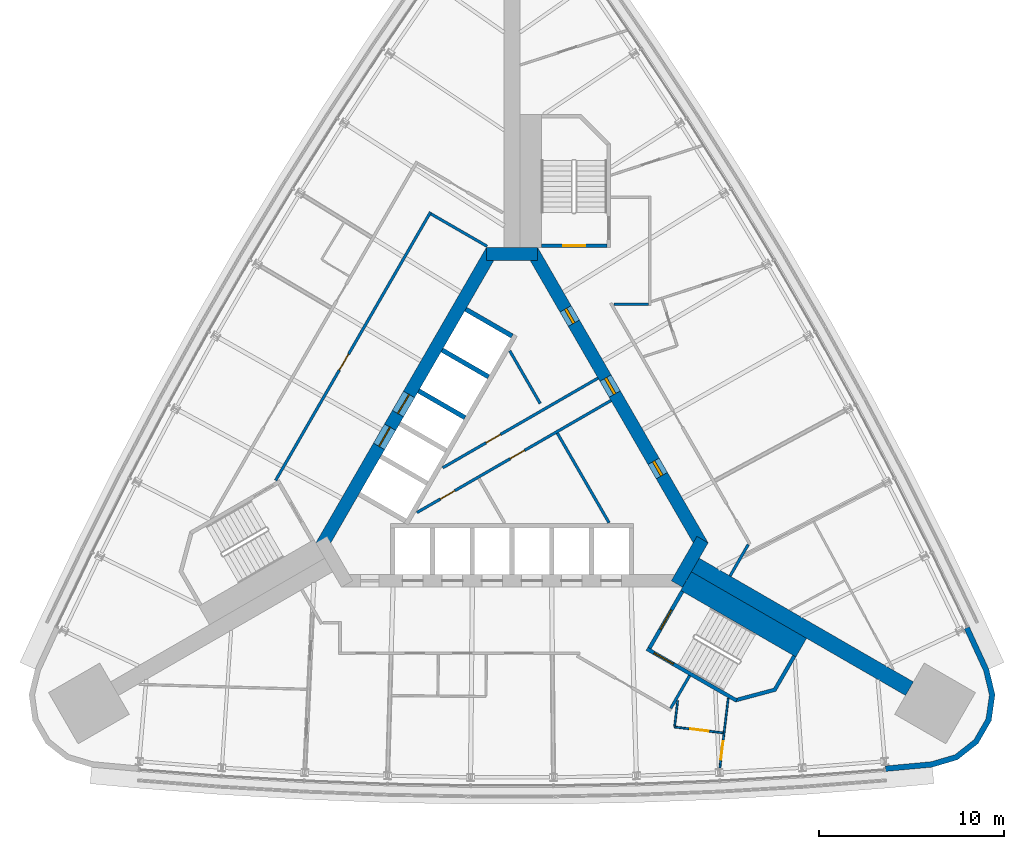
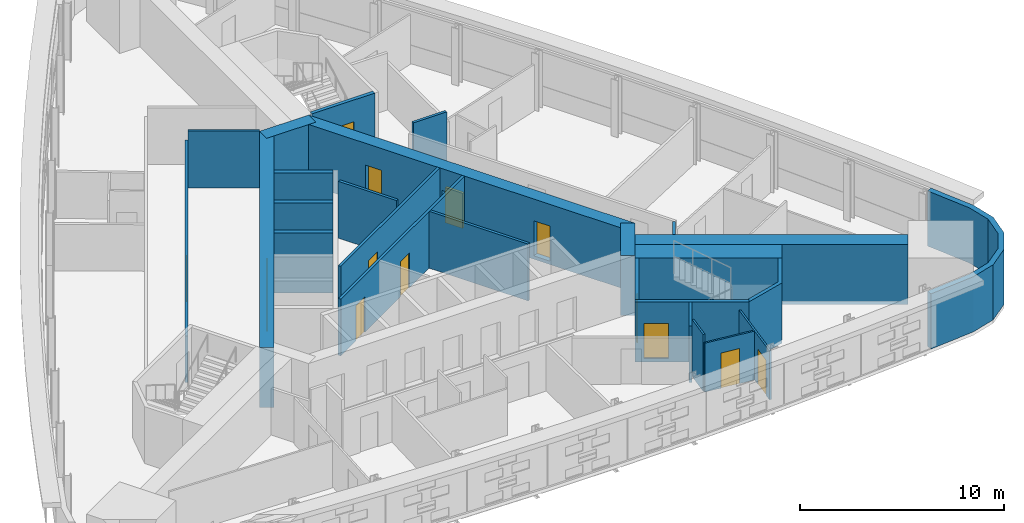
# One storey, part 10 of 14: 26 walls, 14 doors, 14 openings.
"""IFC4 building model written with IfcOpenShell, lengths in metres."""

from ifc_helpers import new_model, si_unit, direction, frame, frame_2d, origin, place, context, subcontext, project, spatial, polyline, rectangle, outline, extrude, material, layer, layer_set, type_object, element, fill, save


model = new_model("IFC4")

# Units and contexts
model_context = context("Model", 3, precision=1e-05, world=origin(), true_north=direction((0.0, 1.0)))
body_context = subcontext(model_context, "Body", "Model", "MODEL_VIEW")
ifc_project = project(units=[si_unit("LENGTHUNIT", "METRE"), si_unit("AREAUNIT", "SQUARE_METRE"), si_unit("VOLUMEUNIT", "CUBIC_METRE"), si_unit("PLANEANGLEUNIT", "RADIAN"), si_unit("MASSUNIT", "GRAM", prefix="KILO")], contexts=[model_context])

# Site, building, storey
site_placement = place(None, origin())
site = spatial("IfcSite", under=ifc_project, at=site_placement, CompositionType="ELEMENT")
building_placement = place(site_placement, origin())
building = spatial("IfcBuilding", under=site, at=building_placement, Name="Noor Cloister Tower", CompositionType="ELEMENT")
storey_placement = place(building_placement, frame((0.0, 0.0, 76.199951171875)))
storey = spatial("IfcBuildingStorey", under=building, at=storey_placement, Name="L19", CompositionType="ELEMENT", Elevation=76.199951171875)

# Wall
ifc_material_1 = material(Name="Concrete C80/95", Category="concrete")
ifc_layer_1 = layer(ifc_material_1, 0.85009765625)
ifc_layer_set_1 = layer_set([ifc_layer_1], Name="Buttress wall 850 C80/95")
wall_type_1 = type_object("IfcWallType", Name="Buttress wall 850 C80/95", PredefinedType="SHEAR", material=ifc_layer_set_1)
wall_1_placement = place(storey_placement, frame((9.921630859375, -5.728271484375, -0.199951171875), z_axis=(0.0, 0.0, 1.0), x_axis=(0.866026077102, -0.499998833779, 0.0)))
element("IfcWall", 1, at=wall_1_placement, inside=storey, type_object=wall_type_1, Name="Buttress wall SE L19", PredefinedType="SHEAR", context=body_context, shape_type="SweptSolid", body=[
    extrude(rectangle(XDim=13.38134765625, YDim=0.85009765625, at=frame_2d((6.690673828125, 0.0))), origin(), (0.0, 0.0, 1.0), 3.60009765625),
])

# Wall, openings, doors
ifc_material_2 = material(Name="Concrete C30/37", Category="concrete")
ifc_layer_2 = layer(ifc_material_2, 0.14990234375)
ifc_layer_set_2 = layer_set([ifc_layer_2], Name="Core partition 150 C30/37")
wall_type_2 = type_object("IfcWallType", Name="Core partition 150 C30/37", PredefinedType="PARTITIONING", material=ifc_layer_set_2)
wall_2_placement = place(storey_placement, frame((-5.147705078125, -2.8896484375, 0.0), z_axis=(0.0, 0.0, 1.0), x_axis=(0.866030081544, 0.499991897794, 0.0)))
wall_2 = element("IfcWall", 2, at=wall_2_placement, inside=storey, type_object=wall_type_2, Name="Core room partition L19 1", PredefinedType="PARTITIONING", context=body_context, shape_type="SweptSolid", body=[
    extrude(rectangle(XDim=12.131103515625, YDim=0.14990234375, at=frame_2d((6.0654296875, 0.0))), origin(), (0.0, 0.0, 1.0), 3.400146484375),
])
opening_1_placement = place(wall_2_placement, frame((5.8310546875, 0.0, 0.0)))
opening_1 = element("IfcOpeningElement", 3, at=opening_1_placement, cuts=wall_2, Name="Opening L19-904", PredefinedType="OPENING", context=body_context, shape_type="SweptSolid", body=[
    extrude(rectangle(XDim=0.89990234375, YDim=2.10009765625, at=frame_2d((0.449951171875, 1.050048828125))), frame((0.0, 0.0849609375, 0.0), z_axis=(0.0, -1.0, 0.0), x_axis=(1.0, 0.0, 0.0)), (0.0, 0.0, 1.0), 0.169921875),
])
opening_2_placement = place(wall_2_placement, frame((1.466552734375, 0.0, 0.0)))
opening_2 = element("IfcOpeningElement", 4, at=opening_2_placement, cuts=wall_2, Name="Opening L19-906", PredefinedType="OPENING", context=body_context, shape_type="SweptSolid", body=[
    extrude(rectangle(XDim=0.89990234375, YDim=2.10009765625, at=frame_2d((0.449951171875, 1.050048828125))), frame((0.0, 0.0849609375, 0.0), z_axis=(0.0, -1.0, 0.0), x_axis=(1.0, 0.0, 0.0)), (0.0, 0.0, 1.0), 0.169921875),
])
ifc_material_3 = material(Name="Steel", Category="steel")
door_type_1 = type_object("IfcDoorType", Name="Core door 900 x 2100 FD60", OperationType="SINGLE_SWING_LEFT", PredefinedType="DOOR", material=ifc_material_3)
door_1_placement = place(opening_1_placement, origin())
door_1 = element("IfcDoor", 5, at=door_1_placement, inside=storey, type_object=door_type_1, Name="Core door 4 L19", OperationType="SINGLE_SWING_RIGHT", OverallHeight=2.10009765625, OverallWidth=0.89990234375, PredefinedType="DOOR", context=body_context, shape_type="SweptSolid", body=[
    extrude(rectangle(XDim=0.89990234375, YDim=2.10009765625, at=frame_2d((0.449951171875, 1.050048828125))), frame((0.0, 0.02490234375, 0.0), z_axis=(0.0, -1.0, 0.0), x_axis=(1.0, 0.0, 0.0)), (0.0, 0.0, 1.0), 0.050048828125),
])
fill(opening_1, door_1)
door_2_placement = place(opening_2_placement, origin())
door_2 = element("IfcDoor", 6, at=door_2_placement, inside=storey, type_object=door_type_1, Name="Core door 6 L19", OperationType="SINGLE_SWING_RIGHT", OverallHeight=2.10009765625, OverallWidth=0.89990234375, PredefinedType="DOOR", context=body_context, shape_type="SweptSolid", body=[
    extrude(rectangle(XDim=0.89990234375, YDim=2.10009765625, at=frame_2d((0.449951171875, 1.050048828125))), frame((0.0, 0.02490234375, 0.0), z_axis=(0.0, -1.0, 0.0), x_axis=(1.0, 0.0, 0.0)), (0.0, 0.0, 1.0), 0.050048828125),
])
fill(opening_2, door_2)

# Wall, opening, door
wall_3_placement = place(storey_placement, frame((-3.747802734375, -0.46484375, 0.0), z_axis=(0.0, 0.0, 1.0), x_axis=(0.866033540873, 0.499985905884, 0.0)))
wall_3 = element("IfcWall", 7, at=wall_3_placement, inside=storey, type_object=wall_type_2, Name="Core room partition L19 2", PredefinedType="PARTITIONING", context=body_context, shape_type="SweptSolid", body=[
    extrude(rectangle(XDim=9.706298828125, YDim=0.14990234375, at=frame_2d((4.85302734375, 0.0))), origin(), (0.0, 0.0, 1.0), 3.400146484375),
])
opening_3_placement = place(wall_3_placement, frame((2.7041015625, 0.0, 0.0)))
opening_3 = element("IfcOpeningElement", 8, at=opening_3_placement, cuts=wall_3, Name="Opening L19-905", PredefinedType="OPENING", context=body_context, shape_type="SweptSolid", body=[
    extrude(rectangle(XDim=0.89990234375, YDim=2.10009765625, at=frame_2d((0.449951171875, 1.050048828125))), frame((0.0, 0.0849609375, 0.0), z_axis=(0.0, -1.0, 0.0), x_axis=(1.0, 0.0, 0.0)), (0.0, 0.0, 1.0), 0.169921875),
])
door_3_placement = place(opening_3_placement, origin())
door_3 = element("IfcDoor", 9, at=door_3_placement, inside=storey, type_object=door_type_1, Name="Core door 5 L19", OperationType="SINGLE_SWING_LEFT", OverallHeight=2.10009765625, OverallWidth=0.89990234375, PredefinedType="DOOR", context=body_context, shape_type="SweptSolid", body=[
    extrude(rectangle(XDim=0.89990234375, YDim=2.10009765625, at=frame_2d((0.449951171875, 1.050048828125))), frame((0.0, 0.02490234375, 0.0), z_axis=(0.0, -1.0, 0.0), x_axis=(1.0, 0.0, 0.0)), (0.0, 0.0, 1.0), 0.050048828125),
])
fill(opening_3, door_3)

# Walls
wall_4_placement = place(storey_placement, frame((1.526123046875, 3.012939453125, 0.0), z_axis=(0.0, 0.0, 1.0), x_axis=(-0.499978925887, 0.866037570588, 0.0)))
element("IfcWall", 10, at=wall_4_placement, inside=storey, type_object=wall_type_2, Name="Core room partition L19 3", PredefinedType="PARTITIONING", context=body_context, shape_type="SweptSolid", body=[
    extrude(rectangle(XDim=3.296142578125, YDim=0.14990234375, at=frame_2d((1.64794921875, 0.0))), origin(), (0.0, 0.0, 1.0), 3.400146484375),
])
wall_5_placement = place(storey_placement, frame((5.25146484375, -3.439208984375, 0.0), z_axis=(0.0, 0.0, 1.0), x_axis=(-0.500011755427, 0.866018616679, 0.0)))
element("IfcWall", 11, at=wall_5_placement, inside=storey, type_object=wall_type_2, Name="Core room partition L19 5", PredefinedType="PARTITIONING", context=body_context, shape_type="SweptSolid", body=[
    extrude(rectangle(XDim=5.600341796875, YDim=0.14990234375, at=frame_2d((2.80029296875, 0.0))), origin(), (0.0, 0.0, 1.0), 3.400146484375),
])
ifc_material_4 = material(Name="Concrete C80/95", Category="concrete")
ifc_layer_3 = layer(ifc_material_4, 0.699951171875)
ifc_layer_set_3 = layer_set([ifc_layer_3], Name="Core wall 700 C80/95")
wall_type_3 = type_object("IfcWallType", Name="Core wall 700 C80/95", PredefinedType="SHEAR", material=ifc_layer_set_3)
wall_6_placement = place(storey_placement, frame((8.925537109375, -6.753173828125, -0.199951171875), z_axis=(0.0, 0.0, 1.0), x_axis=(0.500042739161, 0.866000726912, 0.0)))
element("IfcWall", 12, at=wall_6_placement, inside=storey, type_object=wall_type_3, Name="Core wall L19 2", PredefinedType="SHEAR", context=body_context, shape_type="SweptSolid", body=[
    extrude(rectangle(XDim=2.771240234375, YDim=0.699951171875, at=frame_2d((1.3857421875, 0.0))), origin(), (0.0, 0.0, 1.0), 3.60009765625),
])

# Wall, openings, doors
wall_7_placement = place(storey_placement, frame((10.311279296875, -4.703125, -0.199951171875), z_axis=(0.0, 0.0, 1.0), x_axis=(-0.500001446645, 0.866024568562, 0.0)))
wall_7 = element("IfcWall", 13, at=wall_7_placement, inside=storey, type_object=wall_type_3, Name="Core wall L19 3", PredefinedType="SHEAR", context=body_context, shape_type="SweptSolid", body=[
    extrude(rectangle(XDim=18.45751953125, YDim=0.699951171875, at=frame_2d((9.228759765625, 0.0))), origin(), (0.0, 0.0, 1.0), 3.60009765625),
])
opening_4_placement = place(wall_7_placement, frame((9.5, 0.0, 0.199951171875)))
opening_4 = element("IfcOpeningElement", 14, at=opening_4_placement, cuts=wall_7, Name="Opening L19-901", PredefinedType="OPENING", context=body_context, shape_type="SweptSolid", body=[
    extrude(rectangle(XDim=1.0, YDim=2.10009765625, at=frame_2d((0.5, 1.050048828125))), frame((0.0, 0.35986328125, 0.0), z_axis=(0.0, -1.0, 0.0), x_axis=(1.0, 0.0, 0.0)), (0.0, 0.0, 1.0), 0.719970703125),
])
opening_5_placement = place(wall_7_placement, frame((4.402099609375, 0.0, 0.199951171875)))
opening_5 = element("IfcOpeningElement", 15, at=opening_5_placement, cuts=wall_7, Name="Opening L19-902", PredefinedType="OPENING", context=body_context, shape_type="SweptSolid", body=[
    extrude(rectangle(XDim=0.89990234375, YDim=2.10009765625, at=frame_2d((0.449951171875, 1.050048828125))), frame((0.0, 0.35986328125, 0.0), z_axis=(0.0, -1.0, 0.0), x_axis=(1.0, 0.0, 0.0)), (0.0, 0.0, 1.0), 0.719970703125),
])
opening_6_placement = place(wall_7_placement, frame((13.9267578125, 0.0, 0.199951171875)))
opening_6 = element("IfcOpeningElement", 16, at=opening_6_placement, cuts=wall_7, Name="Opening L19-903", PredefinedType="OPENING", context=body_context, shape_type="SweptSolid", body=[
    extrude(rectangle(XDim=0.89990234375, YDim=2.10009765625, at=frame_2d((0.449951171875, 1.050048828125))), frame((0.0, 0.35986328125, 0.0), z_axis=(0.0, -1.0, 0.0), x_axis=(1.0, 0.0, 0.0)), (0.0, 0.0, 1.0), 0.719970703125),
])
ifc_material_5 = material(Name="Steel", Category="steel")
door_type_2 = type_object("IfcDoorType", Name="Core door 1000 x 2100 FD120", OperationType="SINGLE_SWING_LEFT", PredefinedType="DOOR", material=ifc_material_5)
door_4_placement = place(opening_4_placement, origin())
door_4 = element("IfcDoor", 17, at=door_4_placement, inside=storey, type_object=door_type_2, Name="Core door 1 L19", OperationType="SINGLE_SWING_LEFT", OverallHeight=2.10009765625, OverallWidth=1.0, PredefinedType="DOOR", context=body_context, shape_type="SweptSolid", body=[
    extrude(rectangle(XDim=1.0, YDim=2.10009765625, at=frame_2d((0.5, 1.050048828125))), frame((0.0, 0.074951171875, 0.0), z_axis=(0.0, -1.0, 0.0), x_axis=(1.0, 0.0, 0.0)), (0.0, 0.0, 1.0), 0.14990234375),
])
fill(opening_4, door_4)
ifc_material_6 = material(Name="Steel", Category="steel")
door_type_3 = type_object("IfcDoorType", Name="Core door 900 x 2100 FD120", OperationType="SINGLE_SWING_LEFT", PredefinedType="DOOR", material=ifc_material_6)
door_5_placement = place(opening_6_placement, origin())
door_5 = element("IfcDoor", 18, at=door_5_placement, inside=storey, type_object=door_type_3, Name="Core door 3 L19", OperationType="SINGLE_SWING_LEFT", OverallHeight=2.10009765625, OverallWidth=0.89990234375, PredefinedType="DOOR", context=body_context, shape_type="SweptSolid", body=[
    extrude(rectangle(XDim=0.89990234375, YDim=2.10009765625, at=frame_2d((0.449951171875, 1.050048828125))), frame((0.0, 0.074951171875, 0.0), z_axis=(0.0, -1.0, 0.0), x_axis=(1.0, 0.0, 0.0)), (0.0, 0.0, 1.0), 0.14990234375),
])
fill(opening_6, door_5)
door_6_placement = place(opening_5_placement, origin())
door_6 = element("IfcDoor", 19, at=door_6_placement, inside=storey, type_object=door_type_1, Name="Core door 2 L19", OperationType="SINGLE_SWING_RIGHT", OverallHeight=2.10009765625, OverallWidth=0.89990234375, PredefinedType="DOOR", context=body_context, shape_type="SweptSolid", body=[
    extrude(rectangle(XDim=0.89990234375, YDim=2.10009765625, at=frame_2d((0.449951171875, 1.050048828125))), frame((0.0, 0.074951171875, 0.0), z_axis=(0.0, -1.0, 0.0), x_axis=(1.0, 0.0, 0.0)), (0.0, 0.0, 1.0), 0.14990234375),
])
fill(opening_5, door_6)

# Wall
wall_8_placement = place(storey_placement, frame((1.3857421875, 11.1064453125, -0.199951171875), z_axis=(0.0, 0.0, 1.0), x_axis=(-1.0, 0.0, 0.0)))
element("IfcWall", 20, at=wall_8_placement, inside=storey, type_object=wall_type_3, Name="Core wall L19 4", PredefinedType="SHEAR", context=body_context, shape_type="SweptSolid", body=[
    extrude(rectangle(XDim=2.771484375, YDim=0.699951171875, at=frame_2d((1.3857421875, 0.0))), origin(), (0.0, 0.0, 1.0), 3.60009765625),
])

# Wall, openings, doors
wall_9_placement = place(storey_placement, frame((-1.08251953125, 11.281494140625, -0.199951171875), z_axis=(0.0, 0.0, 1.0), x_axis=(-0.500001446645, -0.866024568562, 0.0)))
wall_9 = element("IfcWall", 21, at=wall_9_placement, inside=storey, type_object=wall_type_3, Name="Core wall L19 5", PredefinedType="SHEAR", context=body_context, shape_type="SweptSolid", body=[
    extrude(rectangle(XDim=18.45751953125, YDim=0.699951171875, at=frame_2d((9.228759765625, 0.0))), origin(), (0.0, 0.0, 1.0), 3.60009765625),
])
opening_7_placement = place(wall_9_placement, frame((8.978759765625, 0.0, 0.199951171875)))
opening_7 = element("IfcOpeningElement", 22, at=opening_7_placement, cuts=wall_9, Name="Opening L19-FF1", PredefinedType="OPENING", context=body_context, shape_type="SweptSolid", body=[
    extrude(rectangle(XDim=1.199951171875, YDim=2.10009765625, at=frame_2d((0.60009765625, 1.050048828125))), frame((0.0, 0.35986328125, 0.0), z_axis=(0.0, -1.0, 0.0), x_axis=(1.0, 0.0, 0.0)), (0.0, 0.0, 1.0), 0.719970703125),
])
opening_8_placement = place(wall_9_placement, frame((11.02880859375, 0.0, 0.199951171875)))
opening_8 = element("IfcOpeningElement", 23, at=opening_8_placement, cuts=wall_9, Name="Opening L19-FF2", PredefinedType="OPENING", context=body_context, shape_type="SweptSolid", body=[
    extrude(rectangle(XDim=1.199951171875, YDim=2.10009765625, at=frame_2d((0.60009765625, 1.050048828125))), frame((0.0, 0.35986328125, 0.0), z_axis=(0.0, -1.0, 0.0), x_axis=(1.0, 0.0, 0.0)), (0.0, 0.0, 1.0), 0.719970703125),
])
ifc_material_7 = material(Name="Stainless steel", Category="steel")
door_type_4 = type_object("IfcDoorType", Name="Lift landing door 1200 x 2100", OperationType="DOUBLE_DOOR_SLIDING", PredefinedType="DOOR", material=ifc_material_7)
door_7_placement = place(opening_7_placement, origin())
door_7 = element("IfcDoor", 24, at=door_7_placement, inside=storey, type_object=door_type_4, Name="Landing door FF1 L19", OperationType="DOUBLE_DOOR_SLIDING", OverallHeight=2.10009765625, OverallWidth=1.199951171875, PredefinedType="DOOR", context=body_context, shape_type="SweptSolid", body=[
    extrude(rectangle(XDim=1.199951171875, YDim=2.10009765625, at=frame_2d((0.60009765625, 1.050048828125))), frame((0.0, 0.02490234375, 0.0), z_axis=(0.0, -1.0, 0.0), x_axis=(1.0, 0.0, 0.0)), (0.0, 0.0, 1.0), 0.050048828125),
])
fill(opening_7, door_7)
door_8_placement = place(opening_8_placement, origin())
door_8 = element("IfcDoor", 25, at=door_8_placement, inside=storey, type_object=door_type_4, Name="Landing door FF2 L19", OperationType="DOUBLE_DOOR_SLIDING", OverallHeight=2.10009765625, OverallWidth=1.199951171875, PredefinedType="DOOR", context=body_context, shape_type="SweptSolid", body=[
    extrude(rectangle(XDim=1.199951171875, YDim=2.10009765625, at=frame_2d((0.60009765625, 1.050048828125))), frame((0.0, 0.02490234375, 0.0), z_axis=(0.0, -1.0, 0.0), x_axis=(1.0, 0.0, 0.0)), (0.0, 0.0, 1.0), 0.050048828125),
])
fill(opening_8, door_8)

# Wall, opening, door
ifc_material_8 = material(Name="Fire-rated gypsum board partition on steel studs, 150 mm", Category="steel")
ifc_layer_4 = layer(ifc_material_8, 0.14990234375)
ifc_layer_set_4 = layer_set([ifc_layer_4], Name="Fire lobby wall 150")
wall_type_4 = type_object("IfcWallType", Name="Fire lobby wall 150", PredefinedType="PARTITIONING", material=ifc_layer_set_4)
wall_10_placement = place(storey_placement, frame((-4.40673828125, 13.373779296875, 0.0), z_axis=(0.0, 0.0, 1.0), x_axis=(-0.499997181693, -0.866027030928, 0.0)))
wall_10 = element("IfcWall", 26, at=wall_10_placement, inside=storey, type_object=wall_type_4, Name="Fire lobby wall 150 L19 002", PredefinedType="PARTITIONING", context=body_context, shape_type="SweptSolid", body=[
    extrude(rectangle(XDim=16.76953125, YDim=0.14990234375, at=frame_2d((8.384765625, 0.0))), origin(), (0.0, 0.0, 1.0), 2.778076171875),
])
opening_9_placement = place(wall_10_placement, frame((8.878662109375, 0.0, 0.0)))
opening_9 = element("IfcOpeningElement", 27, at=opening_9_placement, cuts=wall_10, Name="Opening L19-003", PredefinedType="OPENING", context=body_context, shape_type="SweptSolid", body=[
    extrude(rectangle(XDim=1.0, YDim=2.10009765625, at=frame_2d((0.5, 1.050048828125))), frame((0.0, 0.0849609375, 0.0), z_axis=(0.0, -1.0, 0.0), x_axis=(1.0, 0.0, 0.0)), (0.0, 0.0, 1.0), 0.169921875),
])
ifc_material_9 = material(Name="Timber door leaf with steel frame", Category="steel")
door_type_5 = type_object("IfcDoorType", Name="Fire lobby door 1000", OperationType="NOTDEFINED", PredefinedType="DOOR", material=ifc_material_9)
door_9_placement = place(opening_9_placement, origin())
door_9 = element("IfcDoor", 28, at=door_9_placement, inside=storey, type_object=door_type_5, Name="Fire lobby door 1000 L19-003", OperationType="SINGLE_SWING_RIGHT", OverallHeight=2.10009765625, OverallWidth=1.0, PredefinedType="DOOR", context=body_context, shape_type="SweptSolid", body=[
    extrude(rectangle(XDim=1.0, YDim=2.10009765625, at=frame_2d((0.5, 1.050048828125))), frame((0.0, 0.02490234375, 0.0), z_axis=(0.0, -1.0, 0.0), x_axis=(1.0, 0.0, 0.0)), (0.0, 0.0, 1.0), 0.050048828125),
])
fill(opening_9, door_9)

# Walls
wall_11_placement = place(storey_placement, frame((-4.379150390625, 13.271484375, 0.0), z_axis=(0.0, 0.0, 1.0), x_axis=(0.866019471182, -0.500010275428, 0.0)))
element("IfcWall", 29, at=wall_11_placement, inside=storey, type_object=wall_type_4, Name="Fire lobby wall 150 L19 008", PredefinedType="PARTITIONING", context=body_context, shape_type="SweptSolid", body=[
    extrude(rectangle(XDim=3.5, YDim=0.14990234375, at=frame_2d((1.75, 0.0))), origin(), (0.0, 0.0, 1.0), 3.400146484375),
])
ifc_material_10 = material(Name="Gypsum board partition on steel studs, 150 mm", Category="steel")
ifc_layer_5 = layer(ifc_material_10, 0.14990234375)
ifc_layer_set_5 = layer_set([ifc_layer_5], Name="Flat wall 150")
wall_type_5 = type_object("IfcWallType", Name="Flat wall 150", PredefinedType="PARTITIONING", material=ifc_layer_set_5)
wall_12_placement = place(storey_placement, frame((8.588623046875, -13.48681640625, 0.0), z_axis=(0.0, 0.0, 1.0), x_axis=(0.499956128963, 0.866050731258, 0.0)))
element("IfcWall", 30, at=wall_12_placement, inside=storey, type_object=wall_type_5, Name="Flat wall 150 L19 010", PredefinedType="PARTITIONING", context=body_context, shape_type="SweptSolid", body=[
    extrude(rectangle(XDim=2.050048828125, YDim=0.14990234375, at=frame_2d((1.02490234375, 0.0))), origin(), (0.0, 0.0, 1.0), 3.400146484375),
])
wall_13_placement = place(storey_placement, frame((11.801025390625, -6.322509765625, 0.0), z_axis=(0.0, 0.0, 1.0), x_axis=(0.500058665202, 0.865991530765, 0.0)))
element("IfcWall", 31, at=wall_13_placement, inside=storey, type_object=wall_type_5, Name="Flat wall 150 L19 011", PredefinedType="PARTITIONING", context=body_context, shape_type="SweptSolid", body=[
    extrude(rectangle(XDim=1.969482421875, YDim=0.14990234375, at=frame_2d((0.98486328125, 0.0))), origin(), (0.0, 0.0, 1.0), 2.778076171875),
])
wall_14_placement = place(storey_placement, frame((5.513671875, 8.38134765625, 0.0), z_axis=(0.0, 0.0, 1.0), x_axis=(1.0, 0.0, 0.0)))
element("IfcWall", 32, at=wall_14_placement, inside=storey, type_object=wall_type_5, Name="Flat wall 150 L19 013", PredefinedType="PARTITIONING", context=body_context, shape_type="SweptSolid", body=[
    extrude(rectangle(XDim=1.871826171875, YDim=0.14990234375, at=frame_2d((0.93603515625, 0.0))), origin(), (0.0, 0.0, 1.0), 3.400146484375),
])
ifc_material_11 = material(Name="Limestone", Category="masonry")
ifc_layer_6 = layer(ifc_material_11, 0.300048828125)
ifc_layer_set_6 = layer_set([ifc_layer_6], Name="Limestone cladding 300")
wall_type_6 = type_object("IfcWallType", Name="Limestone cladding 300", PredefinedType="NOTDEFINED", material=ifc_layer_set_6)
wall_15_placement = place(storey_placement, origin())
element("IfcWall", 33, at=wall_15_placement, inside=storey, type_object=wall_type_6, Name="Limestone pier cladding L19 2.1", PredefinedType="NOTDEFINED", context=body_context, shape_type="SweptSolid", body=[
    extrude(outline(polyline([(20.224609375, -16.900634765625), (22.750244140625, -16.6669921875), (24.112060546875, -16.26416015625), (25.227783203125, -15.38525390625), (25.937744140625, -14.1552734375), (26.141357421875, -12.74951171875), (25.809326171875, -11.36865234375), (24.748779296875, -9.064697265625), (24.476318359375, -9.18994140625), (25.5244140625, -11.467529296875), (25.836181640625, -12.763671875), (25.649169921875, -14.05517578125), (24.99658203125, -15.185302734375), (23.9716796875, -15.992919921875), (22.693359375, -16.37109375), (20.197021484375, -16.60205078125), (20.224609375, -16.900634765625)])), origin(), (0.0, 0.0, 1.0), 3.300048828125),
])

# Wall, opening, door
ifc_material_12 = material(Name="Gypsum board partition on steel studs, 100 mm", Category="steel")
ifc_layer_7 = layer(ifc_material_12, 0.10009765625)
ifc_layer_set_7 = layer_set([ifc_layer_7], Name="Partition 100")
wall_type_7 = type_object("IfcWallType", Name="Partition 100", PredefinedType="PARTITIONING", material=ifc_layer_set_7)
wall_16_placement = place(storey_placement, frame((11.70263671875, -12.940185546875, 0.0), z_axis=(0.0, 0.0, 1.0), x_axis=(-0.119454840068, -0.99283963518, 0.0)))
wall_16 = element("IfcWall", 34, at=wall_16_placement, inside=storey, type_object=wall_type_7, Name="Partition 100 L19 029", PredefinedType="PARTITIONING", context=body_context, shape_type="SweptSolid", body=[
    extrude(rectangle(XDim=3.793212890625, YDim=0.10009765625, at=frame_2d((1.896484375, 0.0))), origin(), (0.0, 0.0, 1.0), 2.923095703125),
])
opening_10_placement = place(wall_16_placement, frame((2.336181640625, 0.0, 0.0)))
opening_10 = element("IfcOpeningElement", 35, at=opening_10_placement, cuts=wall_16, Name="Opening L19-020", PredefinedType="OPENING", context=body_context, shape_type="SweptSolid", body=[
    extrude(rectangle(XDim=1.0, YDim=2.10009765625, at=frame_2d((0.5, 1.050048828125))), frame((0.0, 0.06005859375, 0.0), z_axis=(0.0, -1.0, 0.0), x_axis=(1.0, 0.0, 0.0)), (0.0, 0.0, 1.0), 0.1201171875),
])
ifc_material_13 = material(Name="Timber door leaf with steel frame", Category="steel")
door_type_6 = type_object("IfcDoorType", Name="Interior door 1000", OperationType="NOTDEFINED", PredefinedType="DOOR", material=ifc_material_13)
door_10_placement = place(opening_10_placement, origin())
door_10 = element("IfcDoor", 36, at=door_10_placement, inside=storey, type_object=door_type_6, Name="Interior door 1000 L19-020", OperationType="SINGLE_SWING_RIGHT", OverallHeight=2.10009765625, OverallWidth=1.0, PredefinedType="DOOR", context=body_context, shape_type="SweptSolid", body=[
    extrude(rectangle(XDim=1.0, YDim=2.10009765625, at=frame_2d((0.5, 1.050048828125))), frame((0.0, 0.02490234375, 0.0), z_axis=(0.0, -1.0, 0.0), x_axis=(1.0, 0.0, 0.0)), (0.0, 0.0, 1.0), 0.050048828125),
])
fill(opening_10, door_10)

wall_17_placement = place(storey_placement, frame((8.7958984375, -14.495849609375, 0.0), z_axis=(0.0, 0.0, 1.0), x_axis=(0.992835802838, -0.119486687973, 0.0)))
wall_17 = element("IfcWall", 37, at=wall_17_placement, inside=storey, type_object=wall_type_7, Name="Partition 100 L19 032", PredefinedType="PARTITIONING", context=body_context, shape_type="SweptSolid", body=[
    extrude(rectangle(XDim=2.650146484375, YDim=0.10009765625, at=frame_2d((1.3251953125, 0.0))), origin(), (0.0, 0.0, 1.0), 2.923095703125),
])
opening_11_placement = place(wall_17_placement, frame((0.85009765625, 0.0, 0.0)))
opening_11 = element("IfcOpeningElement", 38, at=opening_11_placement, cuts=wall_17, Name="Opening L19-022", PredefinedType="OPENING", context=body_context, shape_type="SweptSolid", body=[
    extrude(rectangle(XDim=1.0, YDim=2.10009765625, at=frame_2d((0.5, 1.050048828125))), frame((0.0, 0.06005859375, 0.0), z_axis=(0.0, -1.0, 0.0), x_axis=(1.0, 0.0, 0.0)), (0.0, 0.0, 1.0), 0.1201171875),
])
door_11_placement = place(opening_11_placement, origin())
door_11 = element("IfcDoor", 39, at=door_11_placement, inside=storey, type_object=door_type_6, Name="Interior door 1000 L19-022", OperationType="SINGLE_SWING_RIGHT", OverallHeight=2.10009765625, OverallWidth=1.0, PredefinedType="DOOR", context=body_context, shape_type="SweptSolid", body=[
    extrude(rectangle(XDim=1.0, YDim=2.10009765625, at=frame_2d((0.5, 1.050048828125))), frame((0.0, 0.02490234375, 0.0), z_axis=(0.0, -1.0, 0.0), x_axis=(1.0, 0.0, 0.0)), (0.0, 0.0, 1.0), 0.050048828125),
])
fill(opening_11, door_11)

# Walls
wall_18_placement = place(storey_placement, frame((8.96728515625, -13.072998046875, 0.0), z_axis=(0.0, 0.0, 1.0), x_axis=(-0.119493210152, -0.992835017879, 0.0)))
element("IfcWall", 40, at=wall_18_placement, inside=storey, type_object=wall_type_7, Name="Partition 100 L19 038", PredefinedType="PARTITIONING", context=body_context, shape_type="SweptSolid", body=[
    extrude(rectangle(XDim=1.38330078125, YDim=0.10009765625, at=frame_2d((0.691650390625, 0.0))), origin(), (0.0, 0.0, 1.0), 3.400146484375),
])
ifc_material_14 = material(Name="Concrete C80/95", Category="concrete")
ifc_layer_8 = layer(ifc_material_14, 0.25)
ifc_layer_set_8 = layer_set([ifc_layer_8], Name="Shaft wall 250 C80/95")
wall_type_8 = type_object("IfcWallType", Name="Shaft wall 250 C80/95", PredefinedType="PARTITIONING", material=ifc_layer_set_8)
wall_19_placement = place(storey_placement, frame((-2.50634765625, 8.115478515625, -0.199951171875), z_axis=(0.0, 0.0, 1.0), x_axis=(0.865996321171, -0.50005036918, 0.0)))
element("IfcWall", 41, at=wall_19_placement, inside=storey, type_object=wall_type_8, Name="Lift shaft wall L19 NW 1", PredefinedType="PARTITIONING", context=body_context, shape_type="SweptSolid", body=[
    extrude(rectangle(XDim=2.900146484375, YDim=0.25, at=frame_2d((1.4501953125, 0.0))), origin(), (0.0, 0.0, 1.0), 3.60009765625),
])
for number, where, z_axis, x_axis, name in (
    (42, (-3.78125, 5.906982421875, -0.199951171875), (0.0, 0.0, 1.0), (0.866032775405, -0.499987231761, 0.0), "Lift shaft wall L19 NW 2"),
    (43, (-5.056396484375, 3.69873046875, -0.199951171875), (0.0, 0.0, 1.0), (0.866032775405, -0.499987231761, 0.0), "Lift shaft wall L19 NW 3"),
):
    element("IfcWall", number, at=place(storey_placement, frame(where, z_axis=z_axis, x_axis=x_axis)), inside=storey, type_object=wall_type_8, Name=name, PredefinedType="PARTITIONING", context=body_context, shape_type="SweptSolid", body=[
        extrude(rectangle(XDim=2.89990234375, YDim=0.25, at=frame_2d((1.449951171875, 0.0))), origin(), (0.0, 0.0, 1.0), 3.60009765625),
    ])
ifc_material_15 = material(Name="Concrete C80/95", Category="concrete")
ifc_layer_9 = layer(ifc_material_15, 1.160888671875)
ifc_layer_set_9 = layer_set([ifc_layer_9], Name="Stair enclosure wall 1161 C80/95")
wall_type_9 = type_object("IfcWallType", Name="Stair enclosure wall 1161 C80/95", PredefinedType="SHEAR", material=ifc_layer_set_9)
wall_20_placement = place(storey_placement, frame((9.4189453125, -6.598876953125, -0.199951171875), z_axis=(0.0, 0.0, 1.0), x_axis=(0.866033125095, -0.499986626058, 0.0)))
element("IfcWall", 44, at=wall_20_placement, inside=storey, type_object=wall_type_9, Name="Stair enclosure wall ST3 L19 riser side", PredefinedType="SHEAR", context=body_context, shape_type="SweptSolid", body=[
    extrude(rectangle(XDim=7.199951171875, YDim=1.16064453125, at=frame_2d((3.60009765625, 0.0))), origin(), (0.0, 0.0, 1.0), 3.60009765625),
])

# Wall, opening, door
ifc_material_16 = material(Name="Concrete C80/95", Category="concrete")
ifc_layer_10 = layer(ifc_material_16, 0.199951171875)
ifc_layer_set_10 = layer_set([ifc_layer_10], Name="Stair enclosure wall 200 C80/95")
wall_type_10 = type_object("IfcWallType", Name="Stair enclosure wall 200 C80/95", PredefinedType="SHEAR", material=ifc_layer_set_10)
wall_21_placement = place(storey_placement, frame((5.135498046875, 11.556396484375, -0.199951171875), z_axis=(0.0, 0.0, 1.0), x_axis=(-1.0, 0.0, 0.0)))
wall_21 = element("IfcWall", 45, at=wall_21_placement, inside=storey, type_object=wall_type_10, Name="Stair enclosure wall ST1 L19 near end", PredefinedType="SHEAR", context=body_context, shape_type="SweptSolid", body=[
    extrude(rectangle(XDim=3.5498046875, YDim=0.199951171875, at=frame_2d((1.77490234375, 0.0))), origin(), (0.0, 0.0, 1.0), 3.60009765625),
])
opening_12_placement = place(wall_21_placement, frame((1.175048828125, 0.0, 0.199951171875)))
opening_12 = element("IfcOpeningElement", 46, at=opening_12_placement, cuts=wall_21, Name="Opening L19-ST1L", PredefinedType="OPENING", context=body_context, shape_type="SweptSolid", body=[
    extrude(rectangle(XDim=1.199951171875, YDim=2.10009765625, at=frame_2d((0.60009765625, 1.050048828125))), frame((0.0, 0.10986328125, 0.0), z_axis=(0.0, -1.0, 0.0), x_axis=(1.0, 0.0, 0.0)), (0.0, 0.0, 1.0), 0.219970703125),
])
ifc_material_17 = material(Name="Steel", Category="steel")
door_type_7 = type_object("IfcDoorType", Name="Stair door 1200 x 2100 FD120", OperationType="SINGLE_SWING_LEFT", PredefinedType="DOOR", material=ifc_material_17)
door_12_placement = place(opening_12_placement, origin())
door_12 = element("IfcDoor", 47, at=door_12_placement, inside=storey, type_object=door_type_7, Name="Stair door ST1 L19", OperationType="SINGLE_SWING_RIGHT", OverallHeight=2.10009765625, OverallWidth=1.199951171875, PredefinedType="DOOR", context=body_context, shape_type="SweptSolid", body=[
    extrude(rectangle(XDim=1.199951171875, YDim=2.10009765625, at=frame_2d((0.60009765625, 1.050048828125))), frame((0.0, 0.02490234375, 0.0), z_axis=(0.0, -1.0, 0.0), x_axis=(1.0, 0.0, 0.0)), (0.0, 0.0, 1.0), 0.050048828125),
])
fill(opening_12, door_12)

wall_22_placement = place(storey_placement, frame((7.440185546875, -10.225830078125, -0.199951171875), z_axis=(0.0, 0.0, 1.0), x_axis=(0.500022077904, 0.866012656725, 0.0)))
wall_22 = element("IfcWall", 48, at=wall_22_placement, inside=storey, type_object=wall_type_10, Name="Stair enclosure wall ST3 L19 near end", PredefinedType="SHEAR", context=body_context, shape_type="SweptSolid", body=[
    extrude(rectangle(XDim=3.550048828125, YDim=0.199951171875, at=frame_2d((1.77490234375, 0.0))), origin(), (0.0, 0.0, 1.0), 3.60009765625),
])
opening_13_placement = place(wall_22_placement, frame((1.175048828125, 0.0, 0.199951171875)))
opening_13 = element("IfcOpeningElement", 49, at=opening_13_placement, cuts=wall_22, Name="Opening L19-ST3L", PredefinedType="OPENING", context=body_context, shape_type="SweptSolid", body=[
    extrude(rectangle(XDim=1.199951171875, YDim=2.10009765625, at=frame_2d((0.60009765625, 1.050048828125))), frame((0.0, 0.10986328125, 0.0), z_axis=(0.0, -1.0, 0.0), x_axis=(1.0, 0.0, 0.0)), (0.0, 0.0, 1.0), 0.219970703125),
])
door_13_placement = place(opening_13_placement, origin())
door_13 = element("IfcDoor", 50, at=door_13_placement, inside=storey, type_object=door_type_7, Name="Stair door ST3 L19", OperationType="SINGLE_SWING_RIGHT", OverallHeight=2.10009765625, OverallWidth=1.199951171875, PredefinedType="DOOR", context=body_context, shape_type="SweptSolid", body=[
    extrude(rectangle(XDim=1.199951171875, YDim=2.10009765625, at=frame_2d((0.60009765625, 1.050048828125))), frame((0.0, 0.02490234375, 0.0), z_axis=(0.0, -1.0, 0.0), x_axis=(1.0, 0.0, 0.0)), (0.0, 0.0, 1.0), 0.050048828125),
])
fill(opening_13, door_13)

wall_23_placement = place(storey_placement, frame((7.3037109375, -10.262451171875, -0.199951171875), z_axis=(0.0, 0.0, 1.0), x_axis=(0.866026594901, -0.49999793692, 0.0)))
wall_23 = element("IfcWall", 51, at=wall_23_placement, inside=storey, type_object=wall_type_10, Name="Stair enclosure wall ST3 L19 outer side", PredefinedType="SHEAR", context=body_context, shape_type="SweptSolid", body=[
    extrude(rectangle(XDim=5.60009765625, YDim=0.199951171875, at=frame_2d((2.800048828125, 0.0))), origin(), (0.0, 0.0, 1.0), 3.60009765625),
])
opening_14_placement = place(wall_23_placement, frame((0.449951171875, 0.0, 0.199951171875)))
opening_14 = element("IfcOpeningElement", 52, at=opening_14_placement, cuts=wall_23, Name="Opening L19-ST3C", PredefinedType="OPENING", context=body_context, shape_type="SweptSolid", body=[
    extrude(rectangle(XDim=1.199951171875, YDim=2.10009765625, at=frame_2d((0.60009765625, 1.050048828125))), frame((0.0, 0.10986328125, 0.0), z_axis=(0.0, -1.0, 0.0), x_axis=(1.0, 0.0, 0.0)), (0.0, 0.0, 1.0), 0.219970703125),
])
door_14_placement = place(opening_14_placement, origin())
door_14 = element("IfcDoor", 53, at=door_14_placement, inside=storey, type_object=door_type_7, Name="Stair door ST3 L19", OperationType="SINGLE_SWING_LEFT", OverallHeight=2.10009765625, OverallWidth=1.199951171875, PredefinedType="DOOR", context=body_context, shape_type="SweptSolid", body=[
    extrude(rectangle(XDim=1.199951171875, YDim=2.10009765625, at=frame_2d((0.60009765625, 1.050048828125))), frame((0.0, 0.02490234375, 0.0), z_axis=(0.0, -1.0, 0.0), x_axis=(1.0, 0.0, 0.0)), (0.0, 0.0, 1.0), 0.050048828125),
])
fill(opening_14, door_14)

# Wall
ifc_material_18 = material(Name="Concrete C80/95", Category="concrete")
wall_type_11 = type_object("IfcWallType", Name="Stair far end wall C80/95", PredefinedType="SHEAR", material=ifc_material_18)
wall_24_placement = place(storey_placement, frame((0.0, 0.0, -0.199951171875)))
element("IfcWall", 54, at=wall_24_placement, inside=storey, type_object=wall_type_11, Name="Stair enclosure wall ST3 L19 far end", PredefinedType="SHEAR", context=body_context, shape_type="SweptSolid", body=[
    extrude(outline(polyline([(12.103515625, -13.14892578125), (14.2890625, -12.5634765625), (15.364013671875, -10.701416015625), (15.19091796875, -10.601318359375), (14.1572265625, -12.3916015625), (12.131591796875, -12.934326171875), (12.20361328125, -12.975830078125), (12.20361328125, -12.975830078125), (12.20361328125, -12.975830078125), (12.20361328125, -12.975830078125), (12.20361328125, -12.975830078125), (12.20361328125, -12.975830078125), (12.20361328125, -12.975830078125), (12.20361328125, -12.975830078125), (12.20361328125, -12.975830078125), (12.20361328125, -12.975830078125), (12.20361328125, -12.975830078125), (12.20361328125, -12.975830078125), (12.20361328125, -12.975830078125), (12.20361328125, -12.975830078125), (12.20361328125, -12.975830078125), (12.20361328125, -12.975830078125), (12.20361328125, -12.975830078125), (12.103515625, -13.14892578125)])), origin(), (0.0, 0.0, 1.0), 3.60009765625),
])

save(model, "model.ifc")
